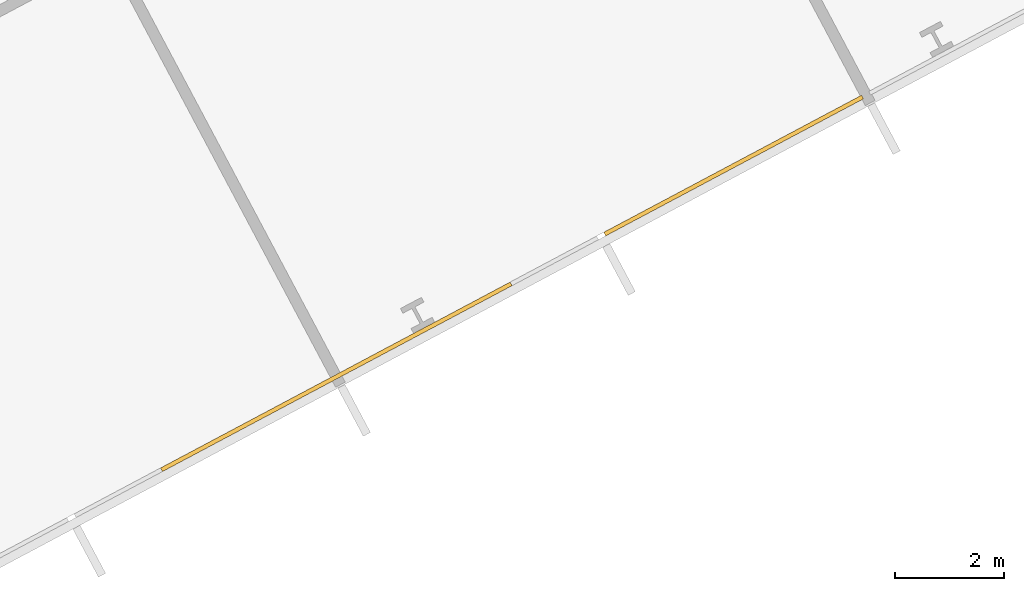
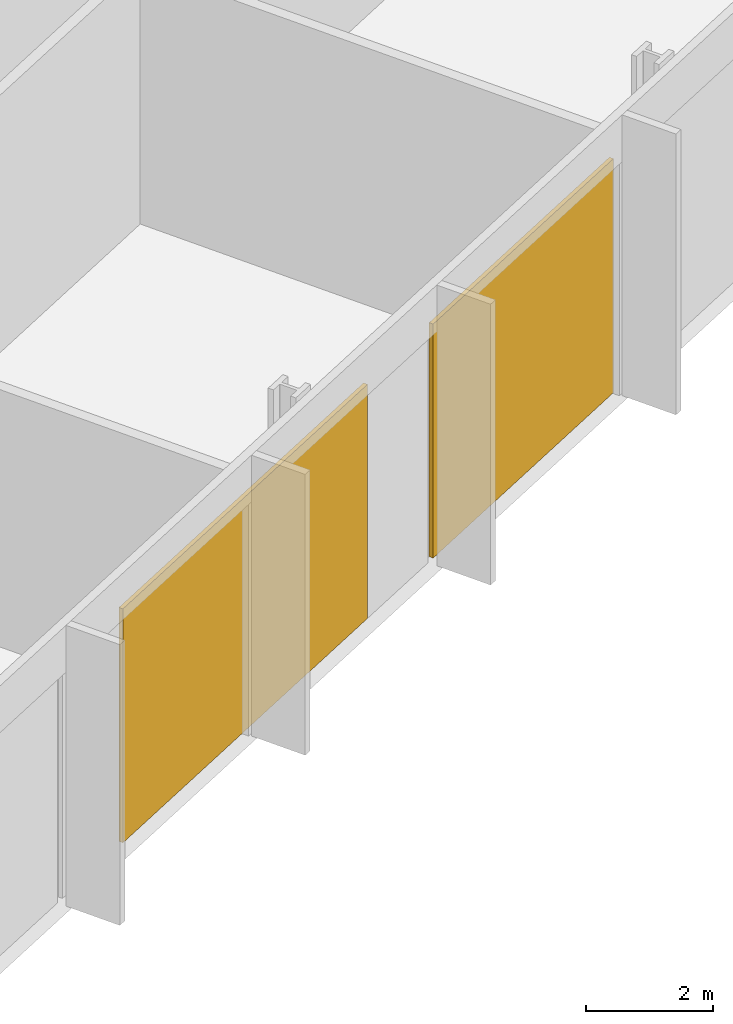
# One storey, part 28 of 32: 2 coverings, 1 element without a shape of its own.
"""IFC4 building model written with IfcOpenShell, lengths in metres."""

from ifc_helpers import new_model, si_unit, direction, frame, origin, origin_2d, place, context, subcontext, project, spatial, rectangle, extrude, material, layer, layer_set, type_object, element, aggregate, save


model = new_model("IFC4")

# Units and contexts
model_context = context("Model", 3, precision=1e-05, world=origin(), true_north=direction((0.0, 1.0)))
body_context = subcontext(model_context, "Body", "Model", "MODEL_VIEW")
ifc_project = project(units=[si_unit("LENGTHUNIT", "METRE"), si_unit("AREAUNIT", "SQUARE_METRE"), si_unit("VOLUMEUNIT", "CUBIC_METRE"), si_unit("PLANEANGLEUNIT", "RADIAN"), si_unit("MASSUNIT", "GRAM", prefix="KILO")], contexts=[model_context])

# Site, building, storey
site_placement = place(None, origin())
site = spatial("IfcSite", under=ifc_project, at=site_placement, CompositionType="ELEMENT")
building_placement = place(site_placement, origin())
building = spatial("IfcBuilding", under=site, at=building_placement, Name="Cormorant Relay Tower", CompositionType="ELEMENT")
storey_placement = place(building_placement, frame((0.0, 0.0, 28.39990234375)))
storey = spatial("IfcBuildingStorey", under=building, at=storey_placement, Name="L05", CompositionType="ELEMENT", Elevation=28.39990234375)

# Curtain wall, coverings
ifc_material_1 = material(Name="Aluminium 6063-T6 anodised bronze", Category="aluminium")
ifc_layer_1 = layer(ifc_material_1, 0.235107421875)
ifc_layer_set_1 = layer_set([ifc_layer_1], Name="CW6 data hall curtain wall with mineral wool panels")
curtain_wall_type = type_object("IfcCurtainWallType", Name="CW6 data hall curtain wall with mineral wool panels", PredefinedType="NOTDEFINED", material=ifc_layer_set_1)
curtain_wall_placement = place(storey_placement, origin())
curtain_wall = element("IfcCurtainWall", 1, at=curtain_wall_placement, inside=storey, type_object=curtain_wall_type, Name="CW6 curtain wall 2", PredefinedType="NOTDEFINED")
ifc_material_2 = material(Name="Mineral wool cored anodised bronze aluminium cassette panel", Category="aluminium")
ifc_layer_2 = layer(ifc_material_2, 0.074951171875)
ifc_layer_set_2 = layer_set([ifc_layer_2], Name="CW6 mineral wool cassette panel 75")
covering_type = type_object("IfcCoveringType", Name="CW6 mineral wool cassette panel 75", PredefinedType="CLADDING", material=ifc_layer_set_2)
covering_1_placement = place(storey_placement, frame((51.333251953125, 3.468017578125, 0.0), z_axis=(0.0, 0.0, 1.0), x_axis=(0.882947592859, 0.469471562786, 0.0)))
covering_1 = element("IfcCovering", 2, at=covering_1_placement, type_object=covering_type, Name="CW6 panel S10", PredefinedType="CLADDING", context=body_context, shape_type="SweptSolid", body=[
    extrude(rectangle(XDim=7.273681640625, YDim=0.074951171875, at=origin_2d()), origin(), (0.0, 0.0, 1.0), 4.5),
])
covering_2_placement = place(storey_placement, frame((58.63330078125, 7.349365234375, 0.0), z_axis=(0.0, 0.0, 1.0), x_axis=(0.882947592859, 0.469471562786, 0.0)))
covering_2 = element("IfcCovering", 3, at=covering_2_placement, type_object=covering_type, Name="CW6 panel S12", PredefinedType="CLADDING", context=body_context, shape_type="SweptSolid", body=[
    extrude(rectangle(XDim=5.36181640625, YDim=0.074951171875, at=origin_2d()), origin(), (0.0, 0.0, 1.0), 4.5),
])
aggregate(curtain_wall, [covering_1, covering_2])

save(model, "model.ifc")
